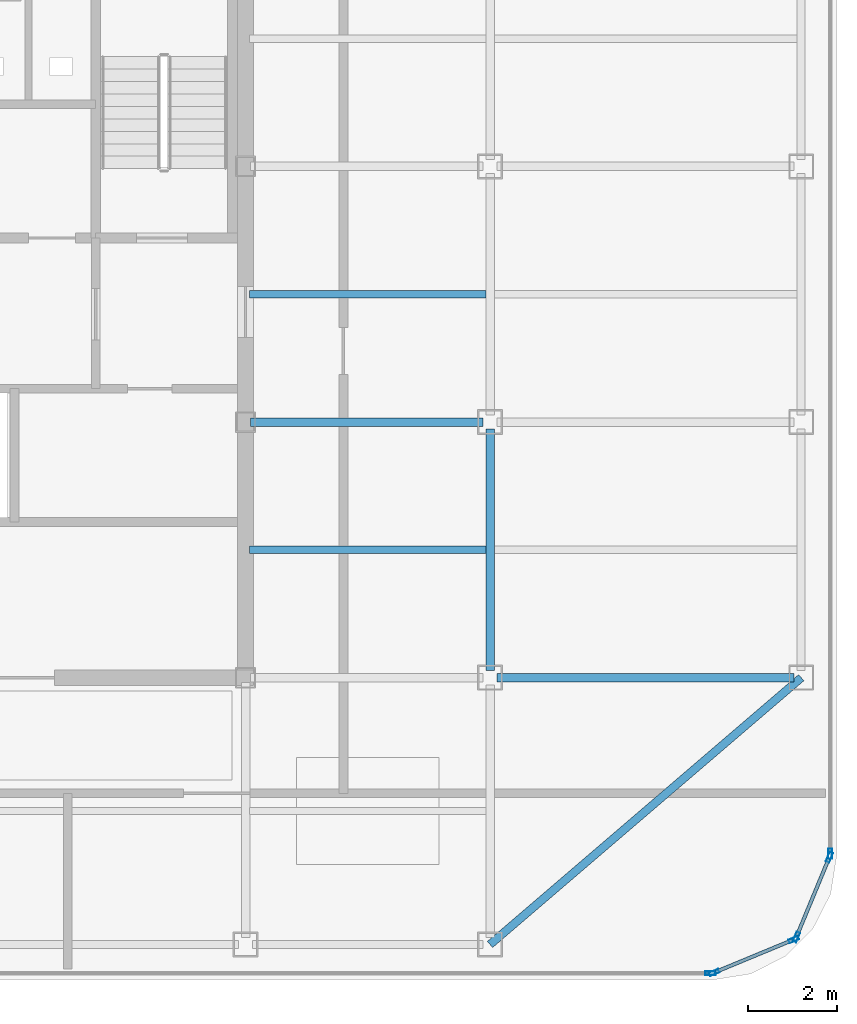
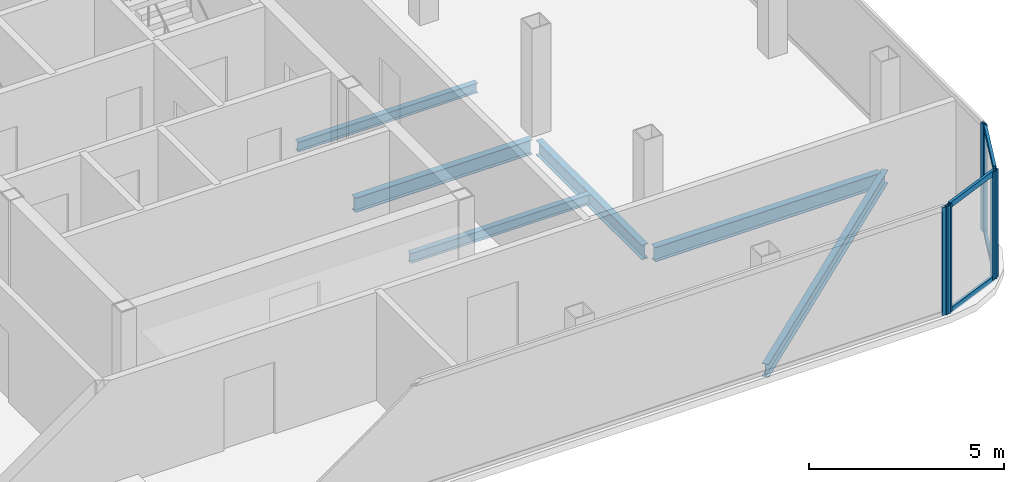
# One storey, part 4 of 11: 10 members, 6 beams, 4 elements without a shape of their own.
"""IFC4 building model written with IfcOpenShell, lengths in metres."""

from ifc_helpers import new_model, si_unit, direction, frame, origin, origin_2d, place, context, subcontext, project, spatial, hollow_rectangle, i_section, extrude, source, transform, mapped, material, layer, layer_set, material_profile, profile_set, type_object, element, aggregate, save


model = new_model("IFC4")

# Units and contexts
model_context = context("Model", 3, precision=1e-05, world=origin(), true_north=direction((0.0, 1.0)))
body_context = subcontext(model_context, "Body", "Model", "MODEL_VIEW")
ifc_project = project(units=[si_unit("LENGTHUNIT", "METRE"), si_unit("AREAUNIT", "SQUARE_METRE"), si_unit("VOLUMEUNIT", "CUBIC_METRE"), si_unit("PLANEANGLEUNIT", "RADIAN"), si_unit("MASSUNIT", "GRAM", prefix="KILO")], contexts=[model_context])

# Site, building, storey
site_placement = place(None, origin())
site = spatial("IfcSite", under=ifc_project, at=site_placement, CompositionType="ELEMENT")
building_placement = place(site_placement, origin())
building = spatial("IfcBuilding", under=site, at=building_placement, Name="Kolveth Station Tower", CompositionType="ELEMENT")
storey_placement = place(building_placement, frame((0.0, 0.0, 282.10009765625)))
storey = spatial("IfcBuildingStorey", under=building, at=storey_placement, Name="L81", CompositionType="ELEMENT", Elevation=282.10009765625)

# Beams
ifc_material_1 = material(Name="Steel S355", Category="steel")
ifc_material_profile_1 = material_profile(ifc_material_1, i_section(OverallWidth=0.180908203125, OverallDepth=0.4169921875, WebThickness=0.010986328125, FlangeThickness=0.018310546875, at=origin_2d()), Name="W410x85")
ifc_profile_set_1 = profile_set([ifc_material_profile_1], Name="Steel S355")
beam_type_1 = type_object("IfcBeamType", Name="Beam_B8", PredefinedType="BEAM", material=ifc_profile_set_1)
shared_shape_1 = source(origin(), body_context, "Body", "SweptSolid", [
    extrude(i_section(OverallWidth=0.180908203125, OverallDepth=0.4169921875, WebThickness=0.010986328125, FlangeThickness=0.018310546875, at=origin_2d()), origin(), (0.0, 0.0, 1.0), 9.219482421875),
])
beam_1_placement = place(storey_placement, frame((34.0, 5.5, -0.4287109375), z_axis=(0.759256602365, 0.650791373456, 0.0), x_axis=(-0.650791373456, 0.759256602365, 0.0)))
element("IfcBeam", 1, at=beam_1_placement, inside=storey, type_object=beam_type_1, Name="L81 Corner Edge Girder BM-L81-CNR-SE", PredefinedType="BEAM", context=body_context, shape_type="MappedRepresentation", body=[
    mapped(shared_shape_1, transform((0.0, 0.0, 0.0), x_axis=(1.0, 0.0, 0.0), y_axis=(0.0, 1.0, 0.0), z_axis=(0.0, 0.0, 1.0), scale=1.0)),
])
ifc_material_profile_2 = material_profile(ifc_material_1, i_section(OverallWidth=0.19091796875, OverallDepth=0.4599609375, WebThickness=0.010009765625, FlangeThickness=0.01611328125, at=origin_2d()), Name="W460x82")
ifc_profile_set_2 = profile_set([ifc_material_profile_2], Name="Steel S355")
beam_type_2 = type_object("IfcBeamType", Name="Beam_B7", PredefinedType="BEAM", material=ifc_profile_set_2)
shared_shape_2 = source(origin(), body_context, "Body", "SweptSolid", [
    extrude(i_section(OverallWidth=0.19091796875, OverallDepth=0.4599609375, WebThickness=0.010009765625, FlangeThickness=0.01611328125, at=origin_2d()), origin(), (0.0, 0.0, 1.0), 6.68017578125),
])
beam_2_placement = place(storey_placement, frame((34.159912109375, 11.5, -0.4501953125), z_axis=(1.0, 0.0, 0.0), x_axis=(0.0, 1.0, 0.0)))
element("IfcBeam", 2, at=beam_2_placement, inside=storey, type_object=beam_type_2, Name="L81 Primary Girder BM-L81-GY115-4", PredefinedType="BEAM", context=body_context, shape_type="MappedRepresentation", body=[
    mapped(shared_shape_2, transform((0.0, 0.0, 0.0), x_axis=(1.0, 0.0, 0.0), y_axis=(0.0, 1.0, 0.0), z_axis=(0.0, 0.0, 1.0), scale=1.0)),
])
shared_shape_3 = source(origin(), body_context, "Body", "SweptSolid", [
    extrude(i_section(OverallWidth=0.19091796875, OverallDepth=0.4599609375, WebThickness=0.010009765625, FlangeThickness=0.01611328125, at=origin_2d()), origin(), (0.0, 0.0, 1.0), 5.22998046875),
])
beam_3_placement = place(storey_placement, frame((28.610107421875, 17.25, -0.4501953125), z_axis=(1.0, 0.0, 0.0), x_axis=(0.0, 1.0, 0.0)))
element("IfcBeam", 3, at=beam_3_placement, inside=storey, type_object=beam_type_2, Name="L81 Primary Girder BM-L81-GY172-3", PredefinedType="BEAM", context=body_context, shape_type="MappedRepresentation", body=[
    mapped(shared_shape_3, transform((0.0, 0.0, 0.0), x_axis=(1.0, 0.0, 0.0), y_axis=(0.0, 1.0, 0.0), z_axis=(0.0, 0.0, 1.0), scale=1.0)),
])
shared_shape_4 = source(origin(), body_context, "Body", "SweptSolid", [
    extrude(i_section(OverallWidth=0.19091796875, OverallDepth=0.4599609375, WebThickness=0.010009765625, FlangeThickness=0.01611328125, at=origin_2d()), origin(), (0.0, 0.0, 1.0), 5.43017578125),
])
beam_4_placement = place(storey_placement, frame((34.0, 11.659912109375, -0.4501953125), z_axis=(0.0, 1.0, 0.0), x_axis=(-1.0, 0.0, 0.0)))
element("IfcBeam", 4, at=beam_4_placement, inside=storey, type_object=beam_type_2, Name="L81 Primary Girder BM-L81-GX340-2", PredefinedType="BEAM", context=body_context, shape_type="MappedRepresentation", body=[
    mapped(shared_shape_4, transform((0.0, 0.0, 0.0), x_axis=(1.0, 0.0, 0.0), y_axis=(0.0, 1.0, 0.0), z_axis=(0.0, 0.0, 1.0), scale=1.0)),
])
ifc_material_profile_3 = material_profile(ifc_material_1, i_section(OverallWidth=0.1650390625, OverallDepth=0.31005859375, WebThickness=0.005859375, FlangeThickness=0.009765625, at=origin_2d()), Name="W310x39")
ifc_profile_set_3 = profile_set([ifc_material_profile_3], Name="Steel S355")
beam_type_3 = type_object("IfcBeamType", Name="Beam_J3", PredefinedType="JOIST", material=ifc_profile_set_3)
shared_shape_5 = source(origin(), body_context, "Body", "SweptSolid", [
    extrude(i_section(OverallWidth=0.1650390625, OverallDepth=0.31005859375, WebThickness=0.005859375, FlangeThickness=0.009765625, at=origin_2d()), origin(), (0.0, 0.0, 1.0), 5.31298828125),
])
for number, where, z_axis, x_axis, name in (
    (5, (28.593505859375, 14.375, -0.375), (1.0, 0.0, 0.0), (0.0, 1.0, 0.0), "L81 Secondary Joist JST-L81-3-2"),
    (6, (28.593505859375, 20.125, -0.375), (1.0, 0.0, 0.0), (0.0, 1.0, 0.0), "L81 Secondary Joist JST-L81-3-3"),
):
    element("IfcBeam", number, at=place(storey_placement, frame(where, z_axis=z_axis, x_axis=x_axis)), inside=storey, type_object=beam_type_3, Name=name, PredefinedType="JOIST", context=body_context, shape_type="MappedRepresentation", body=[
        mapped(shared_shape_5, transform((0.0, 0.0, 0.0), x_axis=(1.0, 0.0, 0.0), y_axis=(0.0, 1.0, 0.0), z_axis=(0.0, 0.0, 1.0), scale=1.0)),
    ])

# Curtain wall, members
ifc_material_2 = material(Name="Black anodized aluminium 6063-T6 and dark crown glass", Category="aluminium")
ifc_layer = layer(ifc_material_2, 0.169921875)
ifc_layer_set = layer_set([ifc_layer], Name="Black anodized aluminium 6063-T6 and dark crown glass")
curtain_wall_type = type_object("IfcCurtainWallType", Name="CurtainWall_CW-CR", PredefinedType="NOTDEFINED", material=ifc_layer_set)
curtain_wall_1_placement = place(storey_placement, origin())
curtain_wall_1 = element("IfcCurtainWall", 7, at=curtain_wall_1_placement, inside=storey, type_object=curtain_wall_type, Name="L81 Stepped Crown Curtain Wall 1", PredefinedType="NOTDEFINED")
ifc_material_3 = material(Name="Black anodized aluminium 6063-T6", Category="aluminium")
ifc_material_profile_4 = material_profile(ifc_material_3, hollow_rectangle(XDim=0.0849609375, YDim=0.22998046875, WallThickness=0.0048828125, at=origin_2d()), Name="ALU-85x230x5")
ifc_profile_set_4 = profile_set([ifc_material_profile_4], Name="Black anodized aluminium 6063-T6")
member_type_1 = type_object("IfcMemberType", Name="Mullion_ML-CR", PredefinedType="MULLION", material=ifc_profile_set_4)
shared_shape_6 = source(origin(), body_context, "Body", "SweptSolid", [
    extrude(hollow_rectangle(XDim=0.0849609375, YDim=0.22998046875, WallThickness=0.0048828125, at=origin_2d()), origin(), (0.0, 0.0, 1.0), 3.3798828125),
])
member_1_placement = place(storey_placement, frame((39.039306640625, 4.8662109375, 0.0), z_axis=(0.0, 0.0, 1.0), x_axis=(-0.382703054797, 0.92387140439, 0.0)))
member_1 = element("IfcMember", 8, at=member_1_placement, type_object=member_type_1, Name="CW-CR mullion 1", PredefinedType="MULLION", context=body_context, shape_type="MappedRepresentation", body=[
    mapped(shared_shape_6, transform((0.0, 0.0, 0.0), x_axis=(1.0, 0.0, 0.0), y_axis=(0.0, 1.0, 0.0), z_axis=(0.0, 0.0, 1.0), scale=1.0)),
])
member_2_placement = place(storey_placement, frame((40.83447265625, 5.60986328125, 0.0), z_axis=(0.0, 0.0, 1.0), x_axis=(-0.382703054797, 0.92387140439, 0.0)))
member_2 = element("IfcMember", 9, at=member_2_placement, type_object=member_type_1, Name="CW-CR mullion 2", PredefinedType="MULLION", context=body_context, shape_type="MappedRepresentation", body=[
    mapped(shared_shape_6, transform((0.0, 0.0, 0.0), x_axis=(1.0, 0.0, 0.0), y_axis=(0.0, 1.0, 0.0), z_axis=(0.0, 0.0, 1.0), scale=1.0)),
])

curtain_wall_2_placement = place(storey_placement, origin())
curtain_wall_2 = element("IfcCurtainWall", 10, at=curtain_wall_2_placement, inside=storey, type_object=curtain_wall_type, Name="L81 Stepped Crown Curtain Wall 2", PredefinedType="NOTDEFINED")
member_3_placement = place(storey_placement, frame((40.89013671875, 5.66552734375, 0.0), z_axis=(0.0, 0.0, 1.0), x_axis=(-0.92387140439, 0.382703054797, 0.0)))
member_3 = element("IfcMember", 11, at=member_3_placement, type_object=member_type_1, Name="CW-CR mullion 1", PredefinedType="MULLION", context=body_context, shape_type="MappedRepresentation", body=[
    mapped(shared_shape_6, transform((0.0, 0.0, 0.0), x_axis=(1.0, 0.0, 0.0), y_axis=(0.0, 1.0, 0.0), z_axis=(0.0, 0.0, 1.0), scale=1.0)),
])
member_4_placement = place(storey_placement, frame((41.6337890625, 7.460693359375, 0.0), z_axis=(0.0, 0.0, 1.0), x_axis=(-0.92387140439, 0.382703054797, 0.0)))
member_4 = element("IfcMember", 12, at=member_4_placement, type_object=member_type_1, Name="CW-CR mullion 2", PredefinedType="MULLION", context=body_context, shape_type="MappedRepresentation", body=[
    mapped(shared_shape_6, transform((0.0, 0.0, 0.0), x_axis=(1.0, 0.0, 0.0), y_axis=(0.0, 1.0, 0.0), z_axis=(0.0, 0.0, 1.0), scale=1.0)),
])

# Curtain wall, member
curtain_wall_3_placement = place(storey_placement, origin())
curtain_wall_3 = element("IfcCurtainWall", 13, at=curtain_wall_3_placement, inside=storey, type_object=curtain_wall_type, Name="L81 Stepped Crown Curtain Wall 3", PredefinedType="NOTDEFINED")
member_5_placement = place(storey_placement, frame((41.64990234375, 7.54248046875, 0.0), z_axis=(0.0, 0.0, 1.0), x_axis=(-1.0, 0.0, 0.0)))
member_5 = element("IfcMember", 14, at=member_5_placement, type_object=member_type_1, Name="CW-CR mullion 1", PredefinedType="MULLION", context=body_context, shape_type="MappedRepresentation", body=[
    mapped(shared_shape_6, transform((0.0, 0.0, 0.0), x_axis=(1.0, 0.0, 0.0), y_axis=(0.0, 1.0, 0.0), z_axis=(0.0, 0.0, 1.0), scale=1.0)),
])
aggregate(curtain_wall_3, [member_5])

curtain_wall_4_placement = place(storey_placement, origin())
curtain_wall_4 = element("IfcCurtainWall", 15, at=curtain_wall_4_placement, inside=storey, type_object=curtain_wall_type, Name="L81 Stepped Crown Curtain Wall 12", PredefinedType="NOTDEFINED")
member_6_placement = place(storey_placement, frame((38.95751953125, 4.85009765625, 0.0), z_axis=(0.0, 0.0, 1.0), x_axis=(0.0, 1.0, 0.0)))
member_6 = element("IfcMember", 16, at=member_6_placement, type_object=member_type_1, Name="CW-CR mullion 2", PredefinedType="MULLION", context=body_context, shape_type="MappedRepresentation", body=[
    mapped(shared_shape_6, transform((0.0, 0.0, 0.0), x_axis=(1.0, 0.0, 0.0), y_axis=(0.0, 1.0, 0.0), z_axis=(0.0, 0.0, 1.0), scale=1.0)),
])
aggregate(curtain_wall_4, [member_6])

# Member
ifc_material_profile_5 = material_profile(ifc_material_3, hollow_rectangle(XDim=0.080078125, YDim=0.1650390625, WallThickness=0.0048828125, at=origin_2d()), Name="ALU-80x165x5")
ifc_profile_set_5 = profile_set([ifc_material_profile_5], Name="Black anodized aluminium 6063-T6")
member_type_2 = type_object("IfcMemberType", Name="Transom_TR-CR", PredefinedType="USERDEFINED", material=ifc_profile_set_5)
shared_shape_7 = source(origin(), body_context, "Body", "SweptSolid", [
    extrude(hollow_rectangle(XDim=0.080078125, YDim=0.1650390625, WallThickness=0.0048828125, at=origin_2d()), origin(), (0.0, 0.0, 1.0), 1.858154296875),
])
member_7_placement = place(storey_placement, frame((39.07861328125, 4.882568359375, 0.039794921875), z_axis=(0.923848662362, 0.382757950997, 0.0), x_axis=(-0.382757950997, 0.923848662362, 0.0)))
member_7 = element("IfcMember", 17, at=member_7_placement, type_object=member_type_2, Name="CW-CR transom 1.1", ObjectType="TRANSOM", PredefinedType="USERDEFINED", context=body_context, shape_type="MappedRepresentation", body=[
    mapped(shared_shape_7, transform((0.0, 0.0, 0.0), x_axis=(1.0, 0.0, 0.0), y_axis=(0.0, 1.0, 0.0), z_axis=(0.0, 0.0, 1.0), scale=1.0)),
])

member_8_placement = place(storey_placement, frame((39.07861328125, 4.882568359375, 3.33984375), z_axis=(0.923848662362, 0.382757950997, 0.0), x_axis=(-0.382757950997, 0.923848662362, 0.0)))
member_8 = element("IfcMember", 18, at=member_8_placement, type_object=member_type_2, Name="CW-CR transom 1.2", ObjectType="TRANSOM", PredefinedType="USERDEFINED", context=body_context, shape_type="MappedRepresentation", body=[
    mapped(shared_shape_7, transform((0.0, 0.0, 0.0), x_axis=(1.0, 0.0, 0.0), y_axis=(0.0, 1.0, 0.0), z_axis=(0.0, 0.0, 1.0), scale=1.0)),
])

aggregate(curtain_wall_1, [member_1, member_2, member_7, member_8])

member_9_placement = place(storey_placement, frame((40.90625, 5.704833984375, 0.039794921875), z_axis=(0.382757950997, 0.923848662362, 0.0), x_axis=(-0.923848662362, 0.382757950997, 0.0)))
member_9 = element("IfcMember", 19, at=member_9_placement, type_object=member_type_2, Name="CW-CR transom 1.1", ObjectType="TRANSOM", PredefinedType="USERDEFINED", context=body_context, shape_type="MappedRepresentation", body=[
    mapped(shared_shape_7, transform((0.0, 0.0, 0.0), x_axis=(1.0, 0.0, 0.0), y_axis=(0.0, 1.0, 0.0), z_axis=(0.0, 0.0, 1.0), scale=1.0)),
])

member_10_placement = place(storey_placement, frame((40.90625, 5.704833984375, 3.33984375), z_axis=(0.382757950997, 0.923848662362, 0.0), x_axis=(-0.923848662362, 0.382757950997, 0.0)))
member_10 = element("IfcMember", 20, at=member_10_placement, type_object=member_type_2, Name="CW-CR transom 1.2", ObjectType="TRANSOM", PredefinedType="USERDEFINED", context=body_context, shape_type="MappedRepresentation", body=[
    mapped(shared_shape_7, transform((0.0, 0.0, 0.0), x_axis=(1.0, 0.0, 0.0), y_axis=(0.0, 1.0, 0.0), z_axis=(0.0, 0.0, 1.0), scale=1.0)),
])

aggregate(curtain_wall_2, [member_3, member_4, member_9, member_10])

save(model, "model.ifc")
